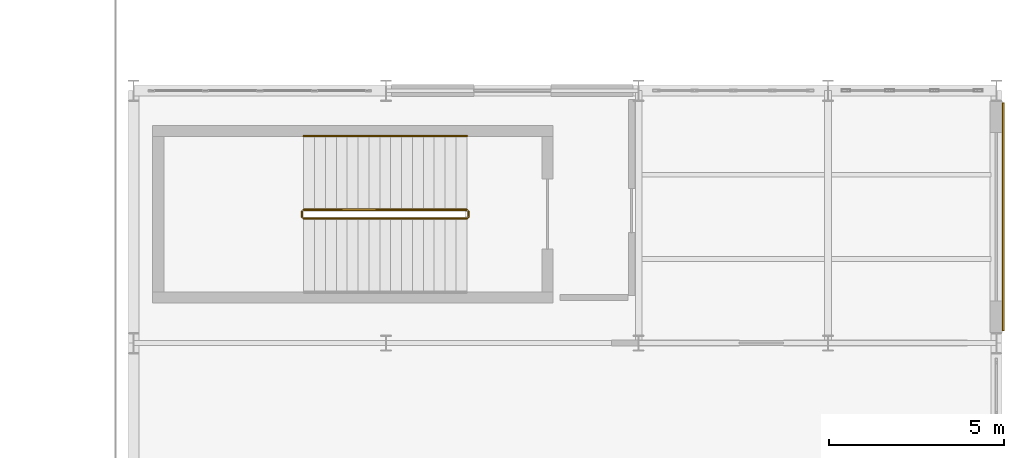
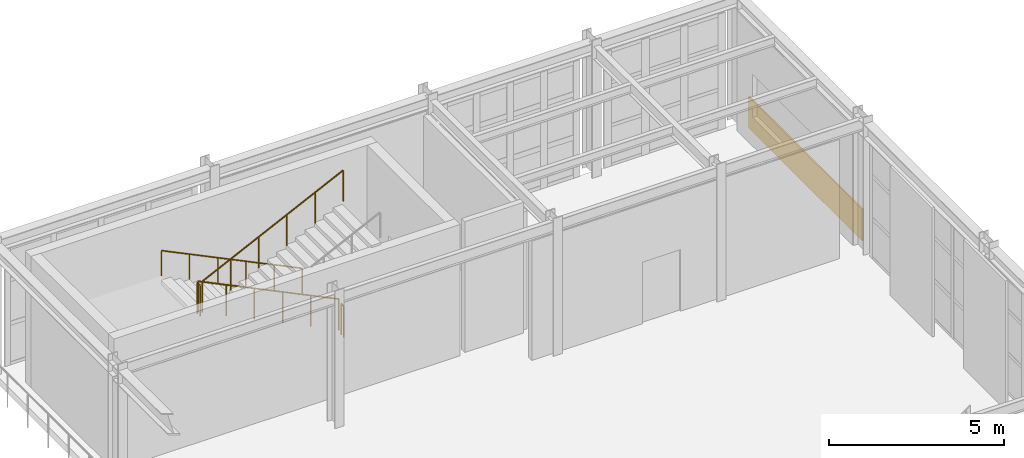
# One storey, part 81 of 83: 5 railings, 1 covering.
"""IFC4 building model written with IfcOpenShell, lengths in metres."""

from ifc_helpers import new_model, si_unit, direction, frame, origin, origin_2d, place, context, subcontext, project, spatial, rectangle, circle, extrude, material, layer, layer_set, type_object, element, save


model = new_model("IFC4")

# Units and contexts
model_context = context("Model", 3, precision=1e-05, world=origin(), true_north=direction((0.0, 1.0)))
body_context = subcontext(model_context, "Body", "Model", "MODEL_VIEW")
ifc_project = project(units=[si_unit("LENGTHUNIT", "METRE"), si_unit("AREAUNIT", "SQUARE_METRE"), si_unit("VOLUMEUNIT", "CUBIC_METRE"), si_unit("PLANEANGLEUNIT", "RADIAN"), si_unit("MASSUNIT", "GRAM", prefix="KILO")], contexts=[model_context])

# Site, building, storey
site_placement = place(None, origin())
site = spatial("IfcSite", under=ifc_project, at=site_placement, CompositionType="ELEMENT")
building_placement = place(site_placement, origin())
building = spatial("IfcBuilding", under=site, at=building_placement, Name="Solvadek Multi-Sports Hall", CompositionType="ELEMENT")
storey_placement = place(building_placement, origin())
storey = spatial("IfcBuildingStorey", under=building, at=storey_placement, Name="L00", CompositionType="ELEMENT", Elevation=0.0)

# Covering
ifc_material_1 = material(Name="Dressed honey-cream limestone ashlar", Category="masonry")
ifc_layer = layer(ifc_material_1, 0.044921875, Name="Dressed honey-cream limestone ashlar")
ifc_layer_set = layer_set([ifc_layer], Name="Dressed honey-cream limestone ashlar")
covering_type = type_object("IfcCoveringType", Name="ENV-COV-CLAD45", PredefinedType="CLADDING", material=ifc_layer_set)
covering_placement = place(storey_placement, frame((161.59716796875, 67.199951171875, 0.0), z_axis=(0.0, 0.0, 1.0), x_axis=(0.0, 1.0, 0.0)))
element("IfcCovering", 1, at=covering_placement, inside=storey, type_object=covering_type, Name="Deccan Granite Plinth Cladding #42", PredefinedType="CLADDING", context=body_context, shape_type="SweptSolid", body=[
    extrude(rectangle(XDim=6.491943359375, YDim=0.044921875, at=origin_2d()), origin(), (0.0, 0.0, 1.0), 1.10009765625),
])

# Railings
ifc_material_2 = material(Name="Steel E250 (250 MPa)", Category="steel")
railing_type_1 = type_object("IfcRailingType", Name="INT-RAL-GRD115", PredefinedType="BALUSTRADE", material=ifc_material_2)
railing_1_placement = place(storey_placement, frame((146.300048828125, 67.39990234375, 0.14990234375)))
element("IfcRailing", 2, at=railing_1_placement, inside=storey, type_object=railing_type_1, Name="L00 ST-06 stair guard 1", PredefinedType="BALUSTRADE", context=body_context, shape_type="SweptSolid", body=[
    extrude(circle(Radius=0.02392578125, at=origin_2d()), frame((0.0, 0.0, 1.076171875), z_axis=(-0.900164630878, 0.0, 0.435549810373), x_axis=(0.0, -1.0, 0.0)), (0.0, 0.0, 1.0), 5.165771484375),
    extrude(circle(Radius=0.02099609375, at=origin_2d()), origin(), (0.0, 0.0, 1.0), 1.052001953125),
    extrude(circle(Radius=0.02099609375, at=origin_2d()), frame((-0.929931640625, 0.0, 0.449951171875)), (0.0, 0.0, 1.0), 1.052001953125),
    extrude(circle(Radius=0.02099609375, at=origin_2d()), frame((-1.860107421875, 0.0, 0.89990234375)), (0.0, 0.0, 1.0), 1.052001953125),
    extrude(circle(Radius=0.02099609375, at=origin_2d()), frame((-2.7900390625, 0.0, 1.35009765625)), (0.0, 0.0, 1.0), 1.052001953125),
    extrude(circle(Radius=0.02099609375, at=origin_2d()), frame((-3.72021484375, 0.0, 1.800048828125)), (0.0, 0.0, 1.0), 1.052001953125),
    extrude(circle(Radius=0.02099609375, at=origin_2d()), frame((-4.650146484375, 0.0, 2.25)), (0.0, 0.0, 1.0), 1.052001953125),
])
railing_2_placement = place(storey_placement, frame((141.60009765625, 67.35009765625, 2.39990234375)))
element("IfcRailing", 3, at=railing_2_placement, inside=storey, type_object=railing_type_1, Name="L00 ST-06 stair guard 2", PredefinedType="BALUSTRADE", context=body_context, shape_type="SweptSolid", body=[
    extrude(circle(Radius=0.02392578125, at=origin_2d()), frame((0.0, 0.0, 1.076171875), z_axis=(0.0, -1.0, 0.0), x_axis=(1.0, 0.0, 0.0)), (0.0, 0.0, 1.0), 0.150146484375),
    extrude(circle(Radius=0.02099609375, at=origin_2d()), origin(), (0.0, 0.0, 1.0), 1.052001953125),
    extrude(circle(Radius=0.02099609375, at=origin_2d()), frame((0.0, -0.150146484375, 0.0)), (0.0, 0.0, 1.0), 1.052001953125),
])
railing_3_placement = place(storey_placement, frame((141.64990234375, 67.14990234375, 2.550048828125)))
element("IfcRailing", 4, at=railing_3_placement, inside=storey, type_object=railing_type_1, Name="L00 ST-06 stair guard 3", PredefinedType="BALUSTRADE", context=body_context, shape_type="SweptSolid", body=[
    extrude(circle(Radius=0.02392578125, at=origin_2d()), frame((0.0, 0.0, 1.076171875), z_axis=(0.900164630878, 0.0, 0.435549810373), x_axis=(0.0, 1.0, 0.0)), (0.0, 0.0, 1.0), 5.165771484375),
    extrude(circle(Radius=0.02099609375, at=origin_2d()), origin(), (0.0, 0.0, 1.0), 1.052001953125),
    extrude(circle(Radius=0.02099609375, at=origin_2d()), frame((0.929931640625, 0.0, 0.449951171875)), (0.0, 0.0, 1.0), 1.052001953125),
    extrude(circle(Radius=0.02099609375, at=origin_2d()), frame((1.860107421875, 0.0, 0.89990234375)), (0.0, 0.0, 1.0), 1.052001953125),
    extrude(circle(Radius=0.02099609375, at=origin_2d()), frame((2.7900390625, 0.0, 1.35009765625)), (0.0, 0.0, 1.0), 1.052001953125),
    extrude(circle(Radius=0.02099609375, at=origin_2d()), frame((3.72021484375, 0.0, 1.800048828125)), (0.0, 0.0, 1.0), 1.052001953125),
    extrude(circle(Radius=0.02099609375, at=origin_2d()), frame((4.650146484375, 0.0, 2.25)), (0.0, 0.0, 1.0), 1.052001953125),
])
railing_4_placement = place(storey_placement, frame((146.35009765625, 67.35009765625, 0.0)))
element("IfcRailing", 5, at=railing_4_placement, inside=storey, type_object=railing_type_1, Name="L00 ST-06 stair guard 4", PredefinedType="BALUSTRADE", context=body_context, shape_type="SweptSolid", body=[
    extrude(circle(Radius=0.02392578125, at=origin_2d()), frame((0.0, 0.0, 1.076171875), z_axis=(0.0, -1.0, 0.0), x_axis=(1.0, 0.0, 0.0)), (0.0, 0.0, 1.0), 0.150146484375),
    extrude(circle(Radius=0.02099609375, at=origin_2d()), origin(), (0.0, 0.0, 1.0), 1.052001953125),
    extrude(circle(Radius=0.02099609375, at=origin_2d()), frame((0.0, -0.150146484375, 0.0)), (0.0, 0.0, 1.0), 1.052001953125),
])
railing_type_2 = type_object("IfcRailingType", Name="INT-RAL-HND090", PredefinedType="HANDRAIL", material=ifc_material_2)
railing_5_placement = place(storey_placement, frame((146.300048828125, 69.5, 0.14990234375)))
element("IfcRailing", 6, at=railing_5_placement, inside=storey, type_object=railing_type_2, Name="L00 ST-06 stair handrail 1", PredefinedType="HANDRAIL", context=body_context, shape_type="SweptSolid", body=[
    extrude(circle(Radius=0.02392578125, at=origin_2d()), frame((0.0, 0.0, 0.8759765625), z_axis=(-0.900164630878, 0.0, 0.435549810373), x_axis=(0.0, -1.0, 0.0)), (0.0, 0.0, 1.0), 5.165771484375),
    extrude(circle(Radius=0.02099609375, at=origin_2d()), origin(), (0.0, 0.0, 1.0), 0.851806640625),
    extrude(circle(Radius=0.02099609375, at=origin_2d()), frame((-0.929931640625, 0.0, 0.449951171875)), (0.0, 0.0, 1.0), 0.851806640625),
    extrude(circle(Radius=0.02099609375, at=origin_2d()), frame((-1.860107421875, 0.0, 0.89990234375)), (0.0, 0.0, 1.0), 0.851806640625),
    extrude(circle(Radius=0.02099609375, at=origin_2d()), frame((-2.7900390625, 0.0, 1.35009765625)), (0.0, 0.0, 1.0), 0.851806640625),
    extrude(circle(Radius=0.02099609375, at=origin_2d()), frame((-3.72021484375, 0.0, 1.800048828125)), (0.0, 0.0, 1.0), 0.851806640625),
    extrude(circle(Radius=0.02099609375, at=origin_2d()), frame((-4.650146484375, 0.0, 2.25)), (0.0, 0.0, 1.0), 0.851806640625),
])

save(model, "model.ifc")
